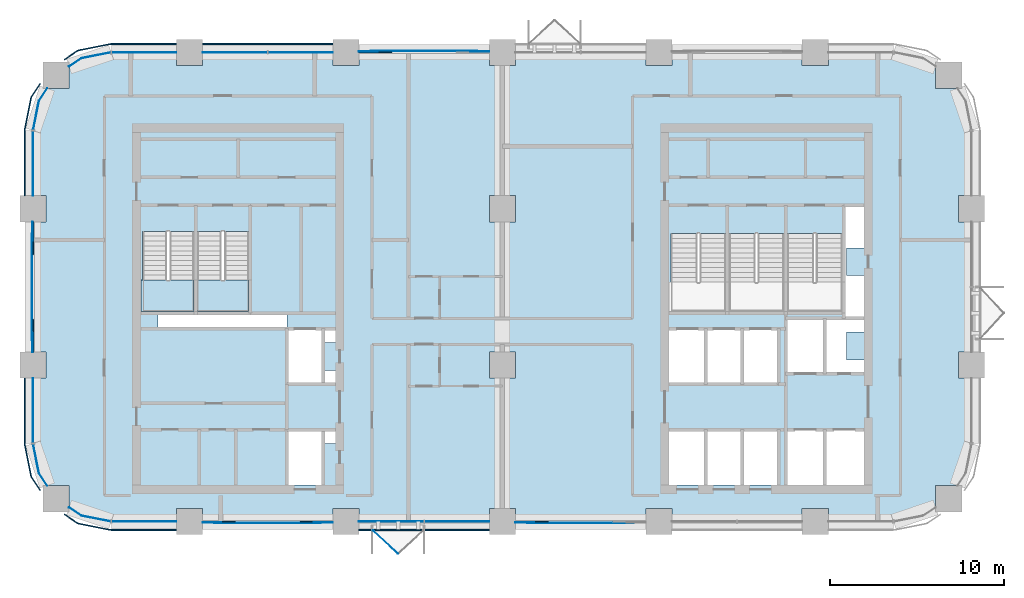
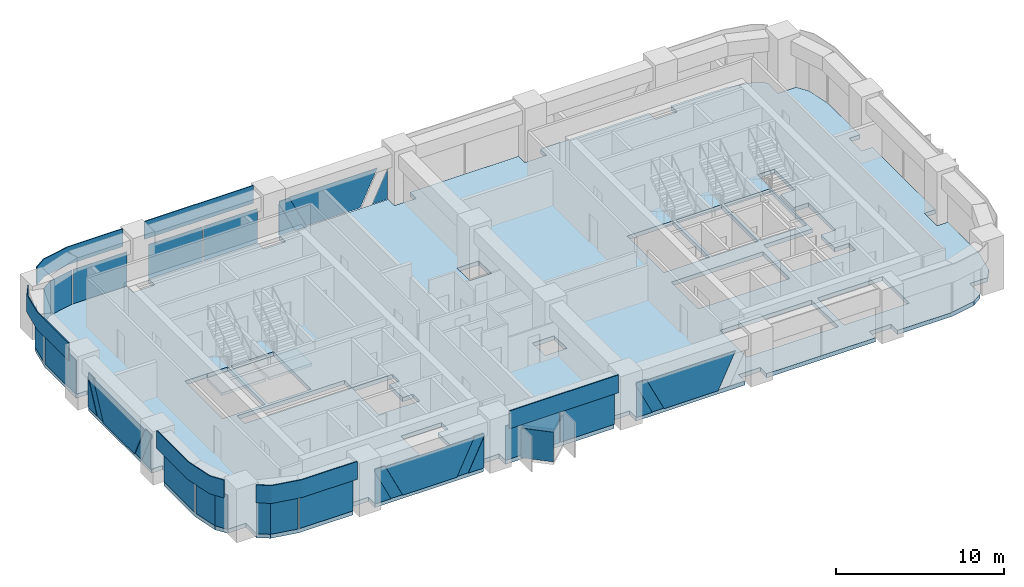
# One storey, part 6 of 13: 36 plates, 3 slabs, 12 elements without a shape of their own.
"""IFC4 building model written with IfcOpenShell, lengths in metres."""

from ifc_helpers import new_model, si_unit, direction, frame, origin, origin_2d, place, context, subcontext, project, spatial, polyline, rectangle, outline, extrude, material, layer, layer_set, type_object, element, aggregate, save


model = new_model("IFC4")

# Units and contexts
model_context = context("Model", 3, precision=1e-05, world=origin(), true_north=direction((0.0, 1.0)))
body_context = subcontext(model_context, "Body", "Model", "MODEL_VIEW")
ifc_project = project(units=[si_unit("LENGTHUNIT", "METRE"), si_unit("AREAUNIT", "SQUARE_METRE"), si_unit("VOLUMEUNIT", "CUBIC_METRE"), si_unit("PLANEANGLEUNIT", "RADIAN"), si_unit("MASSUNIT", "GRAM", prefix="KILO")], contexts=[model_context])

# Site, building, storey
site_placement = place(None, origin())
site = spatial("IfcSite", under=ifc_project, at=site_placement, CompositionType="ELEMENT")
building_placement = place(site_placement, origin())
building = spatial("IfcBuilding", under=site, at=building_placement, Name="Tessera Arch", CompositionType="ELEMENT")
storey_placement = place(building_placement, frame((0.0, 0.0, 162.199951171875)))
storey = spatial("IfcBuildingStorey", under=building, at=storey_placement, Name="L38", CompositionType="ELEMENT", Elevation=162.199951171875)

# Curtain wall, plates
ifc_material_1 = material(Name="CW1 curtain wall")
curtain_wall_type_1 = type_object("IfcCurtainWallType", Name="CW1 curtain wall", PredefinedType="NOTDEFINED", material=ifc_material_1)
curtain_wall_1_placement = place(storey_placement, origin())
curtain_wall_1 = element("IfcCurtainWall", 1, at=curtain_wall_1_placement, inside=storey, type_object=curtain_wall_type_1, Name="CW1 curtain wall N54.0/4 L38", PredefinedType="NOTDEFINED")
ifc_material_2 = material(Name="Clear low-e glass", Category="glass")
ifc_material_3 = material(Name="Clear low-e glass", Category="glass")
ifc_layer_1 = layer(ifc_material_3, 0.028076171875)
ifc_layer_set_1 = layer_set([ifc_layer_1], Name="CW1 glass panel")
plate_type_1 = type_object("IfcPlateType", Name="CW1 glass panel", PredefinedType="CURTAIN_PANEL", material=ifc_layer_set_1)
plate_1_placement = place(storey_placement, frame((15.389892578125, 54.0, 0.0), z_axis=(0.0, 0.0, 1.0), x_axis=(-1.0, 0.0, 0.0)))
plate_1 = element("IfcPlate", 2, at=plate_1_placement, type_object=plate_type_1, material=ifc_material_2, Name="CW1 glass panel N54.0/4 1.1.1", PredefinedType="CURTAIN_PANEL", context=body_context, shape_type="SweptSolid", body=[
    extrude(rectangle(XDim=3.719970703125, YDim=0.028076171875, at=origin_2d()), origin(), (0.0, 0.0, 1.0), 2.5),
])
plate_2_placement = place(storey_placement, frame((11.610107421875, 54.0, 0.0), z_axis=(0.0, 0.0, 1.0), x_axis=(-1.0, 0.0, 0.0)))
plate_2 = element("IfcPlate", 3, at=plate_2_placement, type_object=plate_type_1, material=ifc_material_2, Name="CW1 glass panel N54.0/4 1.2.1", PredefinedType="CURTAIN_PANEL", context=body_context, shape_type="SweptSolid", body=[
    extrude(rectangle(XDim=3.719970703125, YDim=0.028076171875, at=origin_2d()), origin(), (0.0, 0.0, 1.0), 2.5),
])

curtain_wall_2_placement = place(storey_placement, origin())
curtain_wall_2 = element("IfcCurtainWall", 4, at=curtain_wall_2_placement, inside=storey, type_object=curtain_wall_type_1, Name="CW1 curtain wall S27.0/2 L38", PredefinedType="NOTDEFINED")
plate_3_placement = place(storey_placement, frame((20.610107421875, 27.0, 0.0), z_axis=(0.0, 0.0, 1.0), x_axis=(1.0, 0.0, 0.0)))
plate_3 = element("IfcPlate", 5, at=plate_3_placement, type_object=plate_type_1, material=ifc_material_2, Name="CW1 glass panel S27.0/2 1.1.1", PredefinedType="CURTAIN_PANEL", context=body_context, shape_type="SweptSolid", body=[
    extrude(rectangle(XDim=3.719970703125, YDim=0.028076171875, at=origin_2d()), origin(), (0.0, 0.0, 1.0), 2.5),
])
plate_4_placement = place(storey_placement, frame((24.389892578125, 27.0, 0.0), z_axis=(0.0, 0.0, 1.0), x_axis=(1.0, 0.0, 0.0)))
plate_4 = element("IfcPlate", 6, at=plate_4_placement, type_object=plate_type_1, material=ifc_material_2, Name="CW1 glass panel S27.0/2 1.2.1", PredefinedType="CURTAIN_PANEL", context=body_context, shape_type="SweptSolid", body=[
    extrude(rectangle(XDim=3.719970703125, YDim=0.028076171875, at=origin_2d()), origin(), (0.0, 0.0, 1.0), 2.5),
])

# Plate
ifc_material_4 = material(Name="Pale anodised aluminium panel", Category="aluminium")
ifc_layer_2 = layer(ifc_material_4, 0.06005859375)
ifc_layer_set_2 = layer_set([ifc_layer_2], Name="CW1 spandrel panel")
plate_type_2 = type_object("IfcPlateType", Name="CW1 spandrel panel", PredefinedType="CURTAIN_PANEL", material=ifc_layer_set_2)
plate_5_placement = place(storey_placement, frame((13.5, 54.47998046875, 2.60009765625), z_axis=(0.0, 0.0, 1.0), x_axis=(-1.0, 0.0, 0.0)))
plate_5 = element("IfcPlate", 7, at=plate_5_placement, type_object=plate_type_2, Name="CW1 spandrel panel N54.0/4", PredefinedType="CURTAIN_PANEL", context=body_context, shape_type="SweptSolid", body=[
    extrude(rectangle(XDim=7.5, YDim=0.06005859375, at=origin_2d()), origin(), (0.0, 0.0, 1.0), 1.300048828125),
])

aggregate(curtain_wall_1, [plate_1, plate_2, plate_5])

plate_6_placement = place(storey_placement, frame((22.5, 26.52001953125, 2.60009765625), z_axis=(0.0, 0.0, 1.0), x_axis=(1.0, 0.0, 0.0)))
plate_6 = element("IfcPlate", 8, at=plate_6_placement, type_object=plate_type_2, Name="CW1 spandrel panel S27.0/2", PredefinedType="CURTAIN_PANEL", context=body_context, shape_type="SweptSolid", body=[
    extrude(rectangle(XDim=7.5, YDim=0.06005859375, at=origin_2d()), origin(), (0.0, 0.0, 1.0), 1.300048828125),
])

aggregate(curtain_wall_2, [plate_3, plate_4, plate_6])

# Curtain wall, plates
ifc_material_5 = material(Name="CW2 curtain wall")
curtain_wall_type_2 = type_object("IfcCurtainWallType", Name="CW2 curtain wall", PredefinedType="NOTDEFINED", material=ifc_material_5)
curtain_wall_3_placement = place(storey_placement, origin())
curtain_wall_3 = element("IfcCurtainWall", 9, at=curtain_wall_3_placement, inside=storey, type_object=curtain_wall_type_2, Name="CW2 curtain wall N54.0/5 L38", PredefinedType="NOTDEFINED")
ifc_material_6 = material(Name="Clear low-e glass", Category="glass")
ifc_layer_3 = layer(ifc_material_6, 0.028076171875)
ifc_layer_set_3 = layer_set([ifc_layer_3], Name="CW2 glass panel")
plate_type_3 = type_object("IfcPlateType", Name="CW2 glass panel", PredefinedType="CURTAIN_PANEL", material=ifc_layer_set_3)
plate_7_placement = place(storey_placement, frame((6.39501953125, 54.0, 0.0), z_axis=(0.0, 0.0, 1.0), x_axis=(-1.0, 0.0, 0.0)))
plate_7 = element("IfcPlate", 10, at=plate_7_placement, type_object=plate_type_3, material=ifc_material_2, Name="CW2 glass panel N54.0/5 1.1", PredefinedType="CURTAIN_PANEL", context=body_context, shape_type="SweptSolid", body=[
    extrude(rectangle(XDim=3.7099609375, YDim=0.028076171875, at=origin_2d()), origin(), (0.0, 0.0, 1.0), 2.5),
])
plate_8_placement = place(storey_placement, origin())
plate_8 = element("IfcPlate", 11, at=plate_8_placement, type_object=plate_type_3, material=ifc_material_2, Name="CW2 curved glass panel N54.0/5 2.1", PredefinedType="CURTAIN_PANEL", context=body_context, shape_type="SweptSolid", body=[
    extrude(outline(polyline([(2.783447265625, 53.644287109375), (4.46337890625, 53.978515625), (4.4580078125, 54.005859375), (2.7724609375, 53.670654296875), (2.060302734375, 53.19482421875), (2.07568359375, 53.17138671875), (2.783447265625, 53.644287109375)])), origin(), (0.0, 0.0, 1.0), 2.5),
])

curtain_wall_4_placement = place(storey_placement, origin())
curtain_wall_4 = element("IfcCurtainWall", 12, at=curtain_wall_4_placement, inside=storey, type_object=curtain_wall_type_2, Name="CW2 curtain wall W0.27/0 L38", PredefinedType="NOTDEFINED")
plate_9_placement = place(storey_placement, frame((0.0, 47.60498046875, 0.0), z_axis=(0.0, 0.0, 1.0), x_axis=(0.0, -1.0, 0.0)))
plate_9 = element("IfcPlate", 13, at=plate_9_placement, type_object=plate_type_3, material=ifc_material_2, Name="CW2 glass panel W0.27/0 1.1", PredefinedType="CURTAIN_PANEL", context=body_context, shape_type="SweptSolid", body=[
    extrude(rectangle(XDim=3.7099609375, YDim=0.028076171875, at=origin_2d()), origin(), (0.0, 0.0, 1.0), 2.5),
])
plate_10_placement = place(storey_placement, origin())
plate_10 = element("IfcPlate", 14, at=plate_10_placement, type_object=plate_type_3, material=ifc_material_2, Name="CW2 curved glass panel W0.27/0 2.1", PredefinedType="CURTAIN_PANEL", context=body_context, shape_type="SweptSolid", body=[
    extrude(outline(polyline([(0.355712890625, 51.216552734375), (0.82861328125, 51.92431640625), (0.80517578125, 51.939697265625), (0.329345703125, 51.2275390625), (-0.005859375, 49.5419921875), (0.021484375, 49.53662109375), (0.355712890625, 51.216552734375)])), origin(), (0.0, 0.0, 1.0), 2.5),
])

curtain_wall_5_placement = place(storey_placement, origin())
curtain_wall_5 = element("IfcCurtainWall", 15, at=curtain_wall_5_placement, inside=storey, type_object=curtain_wall_type_2, Name="CW2 curtain wall W0.27/2 L38", PredefinedType="NOTDEFINED")
plate_11_placement = place(storey_placement, frame((0.0, 33.39501953125, 0.0), z_axis=(0.0, 0.0, 1.0), x_axis=(0.0, -1.0, 0.0)))
plate_11 = element("IfcPlate", 16, at=plate_11_placement, type_object=plate_type_3, material=ifc_material_2, Name="CW2 glass panel W0.27/2 1.1", PredefinedType="CURTAIN_PANEL", context=body_context, shape_type="SweptSolid", body=[
    extrude(rectangle(XDim=3.7099609375, YDim=0.028076171875, at=origin_2d()), origin(), (0.0, 0.0, 1.0), 2.5),
])
plate_12_placement = place(storey_placement, origin())
plate_12 = element("IfcPlate", 17, at=plate_12_placement, type_object=plate_type_3, material=ifc_material_2, Name="CW2 curved glass panel W0.27/2 2.1", PredefinedType="CURTAIN_PANEL", context=body_context, shape_type="SweptSolid", body=[
    extrude(outline(polyline([(0.355712890625, 29.783447265625), (0.021484375, 31.46337890625), (-0.005859375, 31.4580078125), (0.329345703125, 29.7724609375), (0.80517578125, 29.060302734375), (0.82861328125, 29.07568359375), (0.355712890625, 29.783447265625)])), origin(), (0.0, 0.0, 1.0), 2.5),
])

curtain_wall_6_placement = place(storey_placement, origin())
curtain_wall_6 = element("IfcCurtainWall", 18, at=curtain_wall_6_placement, inside=storey, type_object=curtain_wall_type_2, Name="CW2 curtain wall S27.0/0 L38", PredefinedType="NOTDEFINED")
plate_13_placement = place(storey_placement, frame((6.39501953125, 27.0, 0.0), z_axis=(0.0, 0.0, 1.0), x_axis=(1.0, 0.0, 0.0)))
plate_13 = element("IfcPlate", 19, at=plate_13_placement, type_object=plate_type_3, material=ifc_material_2, Name="CW2 glass panel S27.0/0 1.1", PredefinedType="CURTAIN_PANEL", context=body_context, shape_type="SweptSolid", body=[
    extrude(rectangle(XDim=3.7099609375, YDim=0.028076171875, at=origin_2d()), origin(), (0.0, 0.0, 1.0), 2.5),
])
plate_14_placement = place(storey_placement, origin())
plate_14 = element("IfcPlate", 20, at=plate_14_placement, type_object=plate_type_3, material=ifc_material_2, Name="CW2 curved glass panel S27.0/0 2.1", PredefinedType="CURTAIN_PANEL", context=body_context, shape_type="SweptSolid", body=[
    extrude(outline(polyline([(2.783447265625, 27.355712890625), (2.07568359375, 27.82861328125), (2.060302734375, 27.80517578125), (2.7724609375, 27.329345703125), (4.4580078125, 26.994140625), (4.46337890625, 27.021484375), (2.783447265625, 27.355712890625)])), origin(), (0.0, 0.0, 1.0), 2.5),
])

# Plate
ifc_material_7 = material(Name="Pale anodised aluminium panel", Category="aluminium")
ifc_layer_4 = layer(ifc_material_7, 0.06005859375)
ifc_layer_set_4 = layer_set([ifc_layer_4], Name="CW2 spandrel panel")
plate_type_4 = type_object("IfcPlateType", Name="CW2 spandrel panel", PredefinedType="CURTAIN_PANEL", material=ifc_layer_set_4)
plate_15_placement = place(storey_placement, frame((0.0, 0.0, 2.60009765625)))
plate_15 = element("IfcPlate", 21, at=plate_15_placement, type_object=plate_type_4, Name="CW2 spandrel panel N54.0/5", PredefinedType="CURTAIN_PANEL", context=body_context, shape_type="SweptSolid", body=[
    extrude(outline(polyline([(4.500732421875, 54.449951171875), (8.25, 54.449951171875), (8.25, 54.510009765625), (4.499267578125, 54.510009765625), (4.449951171875, 54.507568359375), (4.401123046875, 54.500244140625), (2.677734375, 54.157470703125), (2.6298828125, 54.1455078125), (2.582763671875, 54.128662109375), (2.537353515625, 54.107421875), (2.4951171875, 54.08203125), (1.78466796875, 53.607177734375), (1.81787109375, 53.55712890625), (2.52734375, 54.03125), (2.565673828125, 54.054443359375), (2.605712890625, 54.0732421875), (2.647216796875, 54.088134765625), (2.69091796875, 54.09912109375), (4.411376953125, 54.441162109375), (4.455810546875, 54.44775390625), (4.500732421875, 54.449951171875)])), origin(), (0.0, 0.0, 1.0), 1.300048828125),
])

aggregate(curtain_wall_3, [plate_7, plate_8, plate_15])

plate_16_placement = place(storey_placement, frame((0.0, 0.0, 2.60009765625)))
plate_16 = element("IfcPlate", 22, at=plate_16_placement, type_object=plate_type_4, Name="CW2 spandrel panel W0.27/0", PredefinedType="CURTAIN_PANEL", context=body_context, shape_type="SweptSolid", body=[
    extrude(outline(polyline([(-0.03125, 51.47265625), (0.44287109375, 52.18212890625), (0.392822265625, 52.21533203125), (-0.08203125, 51.5048828125), (-0.107421875, 51.462646484375), (-0.128662109375, 51.417236328125), (-0.1455078125, 51.3701171875), (-0.157470703125, 51.322265625), (-0.500244140625, 49.598876953125), (-0.507568359375, 49.550048828125), (-0.510009765625, 49.500732421875), (-0.510009765625, 45.75), (-0.449951171875, 45.75), (-0.449951171875, 49.499267578125), (-0.44775390625, 49.544189453125), (-0.441162109375, 49.588623046875), (-0.09912109375, 51.30908203125), (-0.088134765625, 51.352783203125), (-0.0732421875, 51.394287109375), (-0.054443359375, 51.434326171875), (-0.03125, 51.47265625)])), origin(), (0.0, 0.0, 1.0), 1.300048828125),
])

aggregate(curtain_wall_4, [plate_9, plate_10, plate_16])

plate_17_placement = place(storey_placement, frame((0.0, 0.0, 2.60009765625)))
plate_17 = element("IfcPlate", 23, at=plate_17_placement, type_object=plate_type_4, Name="CW2 spandrel panel W0.27/2", PredefinedType="CURTAIN_PANEL", context=body_context, shape_type="SweptSolid", body=[
    extrude(outline(polyline([(-0.449951171875, 31.500732421875), (-0.449951171875, 35.25), (-0.510009765625, 35.25), (-0.510009765625, 31.499267578125), (-0.507568359375, 31.449951171875), (-0.500244140625, 31.401123046875), (-0.157470703125, 29.677734375), (-0.1455078125, 29.6298828125), (-0.128662109375, 29.582763671875), (-0.107421875, 29.537353515625), (-0.08203125, 29.4951171875), (0.392822265625, 28.78466796875), (0.44287109375, 28.81787109375), (-0.03125, 29.52734375), (-0.054443359375, 29.565673828125), (-0.0732421875, 29.605712890625), (-0.088134765625, 29.647216796875), (-0.09912109375, 29.69091796875), (-0.441162109375, 31.411376953125), (-0.44775390625, 31.455810546875), (-0.449951171875, 31.500732421875)])), origin(), (0.0, 0.0, 1.0), 1.300048828125),
])

aggregate(curtain_wall_5, [plate_11, plate_12, plate_17])

plate_18_placement = place(storey_placement, frame((0.0, 0.0, 2.60009765625)))
plate_18 = element("IfcPlate", 24, at=plate_18_placement, type_object=plate_type_4, Name="CW2 spandrel panel S27.0/0", PredefinedType="CURTAIN_PANEL", context=body_context, shape_type="SweptSolid", body=[
    extrude(outline(polyline([(2.52734375, 26.96875), (1.81787109375, 27.44287109375), (1.78466796875, 27.392822265625), (2.4951171875, 26.91796875), (2.537353515625, 26.892578125), (2.582763671875, 26.871337890625), (2.6298828125, 26.8544921875), (2.677734375, 26.842529296875), (4.401123046875, 26.499755859375), (4.449951171875, 26.492431640625), (4.499267578125, 26.489990234375), (8.25, 26.489990234375), (8.25, 26.550048828125), (4.500732421875, 26.550048828125), (4.455810546875, 26.55224609375), (4.411376953125, 26.558837890625), (2.69091796875, 26.90087890625), (2.647216796875, 26.911865234375), (2.605712890625, 26.9267578125), (2.565673828125, 26.945556640625), (2.52734375, 26.96875)])), origin(), (0.0, 0.0, 1.0), 1.300048828125),
])

aggregate(curtain_wall_6, [plate_13, plate_14, plate_18])

# Curtain wall, plate
ifc_material_8 = material(Name="CW3 curtain wall")
curtain_wall_type_3 = type_object("IfcCurtainWallType", Name="CW3 curtain wall", PredefinedType="NOTDEFINED", material=ifc_material_8)
curtain_wall_7_placement = place(storey_placement, origin())
curtain_wall_7 = element("IfcCurtainWall", 25, at=curtain_wall_7_placement, inside=storey, type_object=curtain_wall_type_3, Name="CW3 curtain wall N54.0/3 L38", PredefinedType="NOTDEFINED")
ifc_material_9 = material(Name="Pale anodised aluminium panel", Category="aluminium")
ifc_layer_5 = layer(ifc_material_9, 0.06005859375)
ifc_layer_set_5 = layer_set([ifc_layer_5], Name="CW3 diagonal panel")
plate_type_5 = type_object("IfcPlateType", Name="CW3 diagonal panel", PredefinedType="CURTAIN_PANEL", material=ifc_layer_set_5)
plate_19_placement = place(storey_placement, frame((18.75, 54.030029296875, 2.5), z_axis=(0.0, 1.0, 0.0), x_axis=(1.0, 0.0, 0.0)))
plate_19 = element("IfcPlate", 26, at=plate_19_placement, type_object=plate_type_5, Name="CW3 diagonal panel N54.0/3 1", PredefinedType="CURTAIN_PANEL", context=body_context, shape_type="SweptSolid", body=[
    extrude(outline(polyline([(0.0, 0.0), (0.688720703125, 0.0), (1.890625, 2.5), (1.090087890625, 2.5), (0.0, 0.232421875), (0.0, 0.0)])), origin(), (0.0, 0.0, -1.0), 0.06005859375),
])

# Curtain wall, plates
curtain_wall_8_placement = place(storey_placement, origin())
curtain_wall_8 = element("IfcCurtainWall", 27, at=curtain_wall_8_placement, inside=storey, type_object=curtain_wall_type_3, Name="CW3 curtain wall W0.27/1 L38", PredefinedType="NOTDEFINED")
plate_20_placement = place(storey_placement, frame((-0.030029296875, 36.75, 2.5), z_axis=(-1.0, 0.0, 0.0), x_axis=(0.0, 1.0, 0.0)))
plate_20 = element("IfcPlate", 28, at=plate_20_placement, type_object=plate_type_5, Name="CW3 diagonal panel W0.27/1 1", PredefinedType="CURTAIN_PANEL", context=body_context, shape_type="SweptSolid", body=[
    extrude(outline(polyline([(0.0, 0.0), (0.688720703125, 0.0), (1.890625, 2.5), (1.090087890625, 2.5), (0.0, 0.232421875), (0.0, 0.0)])), origin(), (0.0, 0.0, -1.0), 0.06005859375),
])
plate_21_placement = place(storey_placement, frame((-0.030029296875, 44.25, 2.5), z_axis=(-1.0, 0.0, 0.0), x_axis=(0.0, 0.0, -1.0)))
plate_21 = element("IfcPlate", 29, at=plate_21_placement, type_object=plate_type_5, Name="CW3 diagonal panel W0.27/1 2", PredefinedType="CURTAIN_PANEL", context=body_context, shape_type="SweptSolid", body=[
    extrude(outline(polyline([(0.0, 0.0), (0.232421875, 0.0), (2.5, 1.090087890625), (2.5, 1.890625), (0.0, 0.688720703125), (0.0, 0.0)])), origin(), (0.0, 0.0, -1.0), 0.06005859375),
])

curtain_wall_9_placement = place(storey_placement, origin())
curtain_wall_9 = element("IfcCurtainWall", 30, at=curtain_wall_9_placement, inside=storey, type_object=curtain_wall_type_3, Name="CW3 curtain wall S27.0/1 L38", PredefinedType="NOTDEFINED")
plate_22_placement = place(storey_placement, frame((17.25, 26.969970703125, 2.5), z_axis=(0.0, -1.0, 0.0), x_axis=(-1.0, 0.0, 0.0)))
plate_22 = element("IfcPlate", 31, at=plate_22_placement, type_object=plate_type_5, Name="CW3 diagonal panel S27.0/1 1", PredefinedType="CURTAIN_PANEL", context=body_context, shape_type="SweptSolid", body=[
    extrude(outline(polyline([(0.0, 0.0), (0.688720703125, 0.0), (1.890625, 2.5), (1.090087890625, 2.5), (0.0, 0.232421875), (0.0, 0.0)])), origin(), (0.0, 0.0, -1.0), 0.06005859375),
])
plate_23_placement = place(storey_placement, frame((9.75, 26.969970703125, 2.5), z_axis=(0.0, -1.0, 0.0), x_axis=(0.0, 0.0, -1.0)))
plate_23 = element("IfcPlate", 32, at=plate_23_placement, type_object=plate_type_5, Name="CW3 diagonal panel S27.0/1 2", PredefinedType="CURTAIN_PANEL", context=body_context, shape_type="SweptSolid", body=[
    extrude(outline(polyline([(0.0, 0.0), (0.232421875, 0.0), (2.5, 1.090087890625), (2.5, 1.890625), (0.0, 0.688720703125), (0.0, 0.0)])), origin(), (0.0, 0.0, -1.0), 0.06005859375),
])

# Curtain wall, plate
curtain_wall_10_placement = place(storey_placement, origin())
curtain_wall_10 = element("IfcCurtainWall", 33, at=curtain_wall_10_placement, inside=storey, type_object=curtain_wall_type_3, Name="CW3 curtain wall S27.0/3 L38", PredefinedType="NOTDEFINED")
plate_24_placement = place(storey_placement, frame((27.75, 26.969970703125, 2.5), z_axis=(0.0, -1.0, 0.0), x_axis=(0.0, 0.0, -1.0)))
plate_24 = element("IfcPlate", 34, at=plate_24_placement, type_object=plate_type_5, Name="CW3 diagonal panel S27.0/3 2", PredefinedType="CURTAIN_PANEL", context=body_context, shape_type="SweptSolid", body=[
    extrude(outline(polyline([(0.0, 0.0), (0.232421875, 0.0), (2.5, 1.090087890625), (2.5, 1.890625), (0.0, 0.688720703125), (0.0, 0.0)])), origin(), (0.0, 0.0, -1.0), 0.06005859375),
])

# Plate
ifc_material_10 = material(Name="Clear low-e glass", Category="glass")
ifc_layer_6 = layer(ifc_material_10, 0.028076171875)
ifc_layer_set_6 = layer_set([ifc_layer_6], Name="CW3 glass panel")
plate_type_6 = type_object("IfcPlateType", Name="CW3 glass panel", PredefinedType="CURTAIN_PANEL", material=ifc_layer_set_6)
plate_25_placement = place(storey_placement, frame((26.25, 54.05810546875, 0.0), z_axis=(0.0, 1.0, 0.0), x_axis=(-1.0, 0.0, 0.0)))
plate_25 = element("IfcPlate", 35, at=plate_25_placement, type_object=plate_type_6, material=ifc_material_2, Name="CW3 triangulated glass panel N54.0/3 1", PredefinedType="CURTAIN_PANEL", context=body_context, shape_type="SweptSolid", body=[
    extrude(outline(polyline([(0.0, 0.0), (1.090087890625, 0.0), (0.0, 2.267578125), (0.0, 0.0)])), origin(), (0.0, 0.0, -1.0), 0.028076171875),
])

plate_26_placement = place(storey_placement, frame((19.438720703125, 54.0859375, 2.5), z_axis=(0.0, 1.0, 0.0), x_axis=(1.0, 0.0, 0.0)))
plate_26 = element("IfcPlate", 36, at=plate_26_placement, type_object=plate_type_6, material=ifc_material_2, Name="CW3 triangulated glass panel N54.0/3 2", PredefinedType="CURTAIN_PANEL", context=body_context, shape_type="SweptSolid", body=[
    extrude(outline(polyline([(0.0, 0.0), (6.12255859375, 0.0), (4.920654296875, 2.5), (1.201904296875, 2.5), (0.0, 0.0)])), origin(), (0.0, 0.0, -1.0), 0.028076171875),
])

plate_27_placement = place(storey_placement, frame((18.75, 54.05810546875, 0.0), z_axis=(0.0, 1.0, 0.0), x_axis=(0.0, 0.0, 1.0)))
plate_27 = element("IfcPlate", 37, at=plate_27_placement, type_object=plate_type_6, material=ifc_material_2, Name="CW3 triangulated glass panel N54.0/3 3", PredefinedType="CURTAIN_PANEL", context=body_context, shape_type="SweptSolid", body=[
    extrude(outline(polyline([(0.0, 0.0), (2.267578125, 0.0), (0.0, 1.090087890625), (0.0, 0.0)])), origin(), (0.0, 0.0, -1.0), 0.028076171875),
])

aggregate(curtain_wall_7, [plate_25, plate_26, plate_27, plate_19])

plate_28_placement = place(storey_placement, frame((-0.05810546875, 44.25, 0.0), z_axis=(-1.0, 0.0, 0.0), x_axis=(0.0, -1.0, 0.0)))
plate_28 = element("IfcPlate", 38, at=plate_28_placement, type_object=plate_type_6, material=ifc_material_2, Name="CW3 triangulated glass panel W0.27/1 1", PredefinedType="CURTAIN_PANEL", context=body_context, shape_type="SweptSolid", body=[
    extrude(outline(polyline([(0.0, 0.0), (1.090087890625, 0.0), (0.0, 2.267578125), (0.0, 0.0)])), origin(), (0.0, 0.0, -1.0), 0.028076171875),
])

plate_29_placement = place(storey_placement, frame((-0.0859375, 37.438720703125, 2.5), z_axis=(-1.0, 0.0, 0.0), x_axis=(0.0, 1.0, 0.0)))
plate_29 = element("IfcPlate", 39, at=plate_29_placement, type_object=plate_type_6, material=ifc_material_2, Name="CW3 triangulated glass panel W0.27/1 2", PredefinedType="CURTAIN_PANEL", context=body_context, shape_type="SweptSolid", body=[
    extrude(outline(polyline([(0.0, 0.0), (6.12255859375, 0.0), (4.920654296875, 2.5), (1.201904296875, 2.5), (0.0, 0.0)])), origin(), (0.0, 0.0, -1.0), 0.028076171875),
])

plate_30_placement = place(storey_placement, frame((-0.05810546875, 36.75, 0.0), z_axis=(-1.0, 0.0, 0.0), x_axis=(0.0, 0.0, 1.0)))
plate_30 = element("IfcPlate", 40, at=plate_30_placement, type_object=plate_type_6, material=ifc_material_2, Name="CW3 triangulated glass panel W0.27/1 3", PredefinedType="CURTAIN_PANEL", context=body_context, shape_type="SweptSolid", body=[
    extrude(outline(polyline([(0.0, 0.0), (2.267578125, 0.0), (0.0, 1.090087890625), (0.0, 0.0)])), origin(), (0.0, 0.0, -1.0), 0.028076171875),
])

aggregate(curtain_wall_8, [plate_28, plate_29, plate_30, plate_20, plate_21])

plate_31_placement = place(storey_placement, frame((9.75, 26.94189453125, 0.0), z_axis=(0.0, -1.0, 0.0), x_axis=(1.0, 0.0, 0.0)))
plate_31 = element("IfcPlate", 41, at=plate_31_placement, type_object=plate_type_6, material=ifc_material_2, Name="CW3 triangulated glass panel S27.0/1 1", PredefinedType="CURTAIN_PANEL", context=body_context, shape_type="SweptSolid", body=[
    extrude(outline(polyline([(0.0, 0.0), (1.090087890625, 0.0), (0.0, 2.267578125), (0.0, 0.0)])), origin(), (0.0, 0.0, -1.0), 0.028076171875),
])

plate_32_placement = place(storey_placement, frame((16.561279296875, 26.9140625, 2.5), z_axis=(0.0, -1.0, 0.0), x_axis=(-1.0, 0.0, 0.0)))
plate_32 = element("IfcPlate", 42, at=plate_32_placement, type_object=plate_type_6, material=ifc_material_2, Name="CW3 triangulated glass panel S27.0/1 2", PredefinedType="CURTAIN_PANEL", context=body_context, shape_type="SweptSolid", body=[
    extrude(outline(polyline([(0.0, 0.0), (6.12255859375, 0.0), (4.920654296875, 2.5), (1.201904296875, 2.5), (0.0, 0.0)])), origin(), (0.0, 0.0, -1.0), 0.028076171875),
])

plate_33_placement = place(storey_placement, frame((17.25, 26.94189453125, 0.0), z_axis=(0.0, -1.0, 0.0), x_axis=(0.0, 0.0, 1.0)))
plate_33 = element("IfcPlate", 43, at=plate_33_placement, type_object=plate_type_6, material=ifc_material_2, Name="CW3 triangulated glass panel S27.0/1 3", PredefinedType="CURTAIN_PANEL", context=body_context, shape_type="SweptSolid", body=[
    extrude(outline(polyline([(0.0, 0.0), (2.267578125, 0.0), (0.0, 1.090087890625), (0.0, 0.0)])), origin(), (0.0, 0.0, -1.0), 0.028076171875),
])

aggregate(curtain_wall_9, [plate_31, plate_32, plate_33, plate_22, plate_23])

plate_34_placement = place(storey_placement, frame((27.75, 26.94189453125, 0.0), z_axis=(0.0, -1.0, 0.0), x_axis=(1.0, 0.0, 0.0)))
plate_34 = element("IfcPlate", 44, at=plate_34_placement, type_object=plate_type_6, material=ifc_material_2, Name="CW3 triangulated glass panel S27.0/3 1", PredefinedType="CURTAIN_PANEL", context=body_context, shape_type="SweptSolid", body=[
    extrude(outline(polyline([(0.0, 0.0), (1.090087890625, 0.0), (0.0, 2.267578125), (0.0, 0.0)])), origin(), (0.0, 0.0, -1.0), 0.028076171875),
])

plate_35_placement = place(storey_placement, frame((34.561279296875, 26.9140625, 2.5), z_axis=(0.0, -1.0, 0.0), x_axis=(-1.0, 0.0, 0.0)))
plate_35 = element("IfcPlate", 45, at=plate_35_placement, type_object=plate_type_6, material=ifc_material_2, Name="CW3 triangulated glass panel S27.0/3 2", PredefinedType="CURTAIN_PANEL", context=body_context, shape_type="SweptSolid", body=[
    extrude(outline(polyline([(0.0, 0.0), (6.12255859375, 0.0), (4.920654296875, 2.5), (1.201904296875, 2.5), (0.0, 0.0)])), origin(), (0.0, 0.0, -1.0), 0.028076171875),
])

aggregate(curtain_wall_10, [plate_34, plate_35, plate_24])

# Slab
ifc_material_11 = material(Name="Concrete C40/50", Category="concrete")
ifc_layer_7 = layer(ifc_material_11, 0.300048828125)
ifc_layer_set_7 = layer_set([ifc_layer_7], Name="Floor slab 300 Concrete C40/50")
slab_type_1 = type_object("IfcSlabType", Name="Floor slab 300 Concrete C40/50", PredefinedType="FLOOR", material=ifc_layer_set_7)
slab_1_placement = place(storey_placement, frame((0.0, 0.0, -0.300048828125)))
element("IfcSlab", 46, at=slab_1_placement, inside=storey, type_object=slab_type_1, Name="Floor slab L38 1", PredefinedType="FLOOR", context=body_context, shape_type="SweptSolid", body=[
    extrude(outline(polyline([(54.0, 31.5), (53.657470703125, 29.77783203125), (53.18310546875, 29.068115234375), (51.931884765625, 29.068115234375), (51.931884765625, 27.81689453125), (51.22216796875, 27.342529296875), (49.5, 27.0), (45.75, 27.0), (45.75, 27.75), (44.25, 27.75), (44.25, 27.0), (36.75, 27.0), (36.75, 27.75), (35.25, 27.75), (35.25, 27.0), (27.75, 27.0), (27.75, 27.75), (26.25, 27.75), (26.25, 27.0), (18.75, 27.0), (18.75, 27.75), (17.25, 27.75), (17.25, 27.0), (9.75, 27.0), (9.75, 27.75), (8.25, 27.75), (8.25, 27.0), (4.5, 27.0), (2.77783203125, 27.342529296875), (2.068115234375, 27.81689453125), (2.068115234375, 29.068115234375), (0.81689453125, 29.068115234375), (0.342529296875, 29.77783203125), (0.0, 31.5), (0.0, 35.25), (0.75, 35.25), (0.75, 36.75), (0.0, 36.75), (0.0, 44.25), (0.75, 44.25), (0.75, 45.75), (0.0, 45.75), (0.0, 49.5), (0.342529296875, 51.22216796875), (0.81689453125, 51.931884765625), (2.068115234375, 51.931884765625), (2.068115234375, 53.18310546875), (2.77783203125, 53.657470703125), (4.5, 54.0), (8.25, 54.0), (8.25, 53.25), (9.75, 53.25), (9.75, 54.0), (17.25, 54.0), (17.25, 53.25), (18.75, 53.25), (18.75, 54.0), (26.25, 54.0), (26.25, 53.25), (27.75, 53.25), (27.75, 54.0), (35.25, 54.0), (35.25, 53.25), (36.75, 53.25), (36.75, 54.0), (44.25, 54.0), (44.25, 53.25), (45.75, 53.25), (45.75, 54.0), (49.5, 54.0), (51.22216796875, 53.657470703125), (51.931884765625, 53.18310546875), (51.931884765625, 51.931884765625), (53.18310546875, 51.931884765625), (53.657470703125, 51.22216796875), (54.0, 49.5), (54.0, 45.75), (53.25, 45.75), (53.25, 44.25), (54.0, 44.25), (54.0, 36.75), (53.25, 36.75), (53.25, 35.25), (54.0, 35.25), (54.0, 31.5)]), holes=[polyline([(14.60009765625, 29.10009765625), (16.699951171875, 29.10009765625), (16.699951171875, 31.5), (17.39990234375, 31.5), (17.39990234375, 32.300048828125), (16.699951171875, 32.300048828125), (14.60009765625, 32.300048828125), (14.60009765625, 29.10009765625)]), polyline([(26.25, 36.75), (26.25, 35.25), (27.75, 35.25), (27.75, 36.75), (26.25, 36.75)]), polyline([(17.39990234375, 37.300048828125), (17.39990234375, 38.10009765625), (16.699951171875, 38.10009765625), (14.60498046875, 38.10009765625), (14.60498046875, 38.10498046875), (14.60009765625, 38.10498046875), (14.60009765625, 39.0), (7.199951171875, 39.0), (7.199951171875, 38.10009765625), (14.594970703125, 38.10009765625), (14.594970703125, 38.094970703125), (14.60009765625, 38.094970703125), (14.60009765625, 34.89990234375), (16.699951171875, 34.89990234375), (17.39990234375, 34.89990234375), (17.39990234375, 35.699951171875), (16.699951171875, 35.699951171875), (16.699951171875, 37.300048828125), (17.39990234375, 37.300048828125)]), polyline([(6.300048828125, 43.68994140625), (6.300048828125, 39.199951171875), (9.25, 39.199951171875), (9.25, 43.68994140625), (7.85009765625, 43.68994140625), (7.85009765625, 43.699951171875), (7.699951171875, 43.699951171875), (7.699951171875, 43.68994140625), (6.300048828125, 43.68994140625)]), polyline([(9.449951171875, 39.199951171875), (12.39990234375, 39.199951171875), (12.39990234375, 43.68994140625), (11.0, 43.68994140625), (11.0, 43.699951171875), (10.85009765625, 43.699951171875), (10.85009765625, 43.68994140625), (9.449951171875, 43.68994140625), (9.449951171875, 39.199951171875)]), polyline([(38.699951171875, 29.10009765625), (40.800048828125, 29.10009765625), (42.89990234375, 29.10009765625), (42.89990234375, 32.300048828125), (40.800048828125, 32.300048828125), (38.699951171875, 32.300048828125), (36.60009765625, 32.300048828125), (36.60009765625, 29.10009765625), (38.699951171875, 29.10009765625)]), polyline([(45.550048828125, 32.300048828125), (43.300048828125, 32.300048828125), (43.300048828125, 29.10009765625), (45.550048828125, 29.10009765625), (47.800048828125, 29.10009765625), (47.800048828125, 32.300048828125), (45.550048828125, 32.300048828125)]), polyline([(40.800048828125, 34.89990234375), (42.89990234375, 34.89990234375), (42.89990234375, 38.10009765625), (40.800048828125, 38.10009765625), (38.699951171875, 38.10009765625), (36.60009765625, 38.10009765625), (36.60009765625, 34.89990234375), (38.699951171875, 34.89990234375), (40.800048828125, 34.89990234375)]), polyline([(47.800048828125, 42.75), (47.800048828125, 45.199951171875), (46.64990234375, 45.199951171875), (46.64990234375, 38.699951171875), (45.550048828125, 38.699951171875), (43.300048828125, 38.699951171875), (43.300048828125, 35.5), (45.550048828125, 35.5), (47.800048828125, 35.5), (47.800048828125, 36.300048828125), (46.800048828125, 36.300048828125), (46.800048828125, 37.89990234375), (47.800048828125, 37.89990234375), (47.800048828125, 38.699951171875), (47.800048828125, 41.14990234375), (46.800048828125, 41.14990234375), (46.800048828125, 42.75), (47.800048828125, 42.75)]), polyline([(36.699951171875, 39.199951171875), (39.85009765625, 39.199951171875), (39.85009765625, 43.570068359375), (38.330078125, 43.570068359375), (38.330078125, 43.580078125), (38.219970703125, 43.580078125), (38.219970703125, 43.570068359375), (36.699951171875, 43.570068359375), (36.699951171875, 39.199951171875)]), polyline([(40.050048828125, 39.199951171875), (43.199951171875, 39.199951171875), (43.199951171875, 43.570068359375), (41.679931640625, 43.570068359375), (41.679931640625, 43.580078125), (41.570068359375, 43.580078125), (41.570068359375, 43.570068359375), (40.050048828125, 43.570068359375), (40.050048828125, 39.199951171875)]), polyline([(43.39990234375, 43.570068359375), (43.39990234375, 39.199951171875), (46.550048828125, 39.199951171875), (46.550048828125, 43.570068359375), (45.030029296875, 43.570068359375), (45.030029296875, 43.580078125), (44.919921875, 43.580078125), (44.919921875, 43.570068359375), (43.39990234375, 43.570068359375)]), polyline([(26.25, 45.75), (26.25, 44.25), (27.75, 44.25), (27.75, 45.75), (26.25, 45.75)])]), origin(), (0.0, 0.0, 1.0), 0.300048828125),
])

# Stair, slab
ifc_material_12 = material(Name="Concrete C40/50", Category="concrete")
stair_type = type_object("IfcStairType", Name="Dogleg stair 1400", PredefinedType="HALF_TURN_STAIR", material=ifc_material_12)
stair_1_placement = place(storey_placement, origin())
stair_1 = element("IfcStair", 47, at=stair_1_placement, inside=storey, type_object=stair_type, Name="L38 S2a", PredefinedType="HALF_TURN_STAIR")
ifc_material_13 = material(Name="Concrete C40/50", Category="concrete")
ifc_layer_8 = layer(ifc_material_13, 0.300048828125)
ifc_layer_set_8 = layer_set([ifc_layer_8], Name="Stair landing 300")
slab_type_2 = type_object("IfcSlabType", Name="Stair landing 300", PredefinedType="LANDING", material=ifc_layer_set_8)
slab_2_placement = place(storey_placement, frame((0.0, 0.0, 1.75)))
slab_2 = element("IfcSlab", 48, at=slab_2_placement, type_object=slab_type_2, Name="S2a landing 1", PredefinedType="LANDING", context=body_context, shape_type="SweptSolid", body=[
    extrude(outline(polyline([(6.199951171875, 40.89990234375), (6.199951171875, 39.10009765625), (9.25, 39.10009765625), (9.25, 40.89990234375), (6.199951171875, 40.89990234375)])), origin(), (0.0, 0.0, 1.0), 0.199951171875),
])
aggregate(stair_1, [slab_2])

stair_2_placement = place(storey_placement, origin())
stair_2 = element("IfcStair", 49, at=stair_2_placement, inside=storey, type_object=stair_type, Name="L38 S2b", PredefinedType="HALF_TURN_STAIR")
slab_3_placement = place(storey_placement, frame((0.0, 0.0, 1.75)))
slab_3 = element("IfcSlab", 50, at=slab_3_placement, type_object=slab_type_2, Name="S2b landing 1", PredefinedType="LANDING", context=body_context, shape_type="SweptSolid", body=[
    extrude(outline(polyline([(9.449951171875, 40.89990234375), (9.449951171875, 39.10009765625), (12.39990234375, 39.10009765625), (12.39990234375, 40.89990234375), (9.449951171875, 40.89990234375)])), origin(), (0.0, 0.0, 1.0), 0.199951171875),
])
aggregate(stair_2, [slab_3])

# Plate
ifc_material_14 = material(Name="Clear low-e glass", Category="glass")
ifc_layer_9 = layer(ifc_material_14, 0.028076171875)
ifc_layer_set_9 = layer_set([ifc_layer_9], Name="Window box glass facet")
plate_type_7 = type_object("IfcPlateType", Name="Window box glass facet", PredefinedType="SHEET", material=ifc_layer_set_9)
plate_36_placement = place(storey_placement, frame((20.27490234375, 25.820068359375, 0.22021484375), z_axis=(0.0, 0.0, 1.0), x_axis=(0.734414958885, -0.678700720617, 0.0)))
element("IfcPlate", 51, at=plate_36_placement, inside=storey, type_object=plate_type_7, Name="Window box S27.0/2.0 1x1 glass", PredefinedType="SHEET", context=body_context, shape_type="SweptSolid", body=[
    extrude(rectangle(XDim=1.974365234375, YDim=0.028076171875, at=origin_2d()), origin(), (0.0, 0.0, 1.0), 2.159912109375),
])

save(model, "model.ifc")
